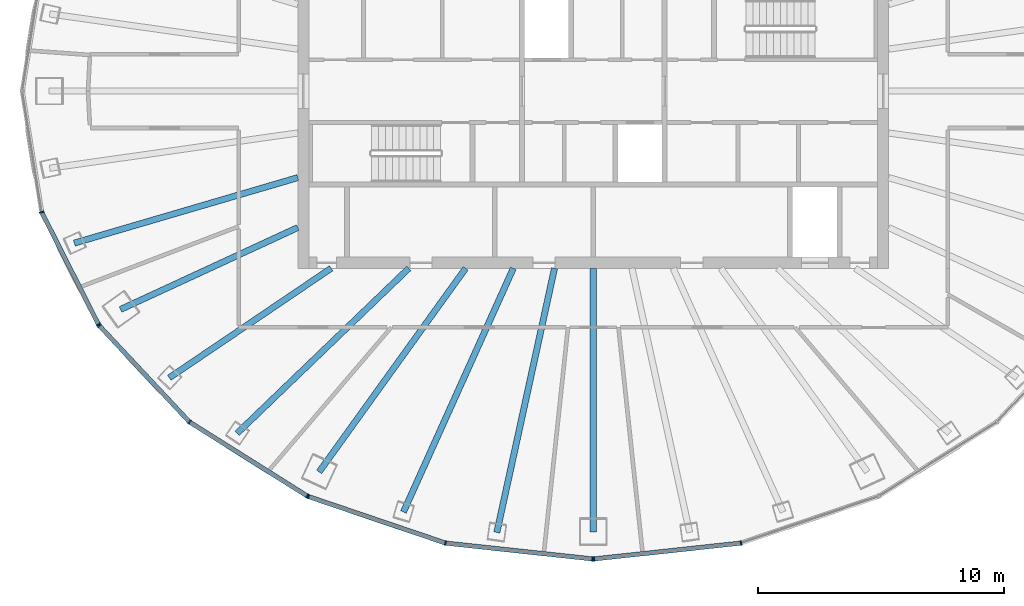
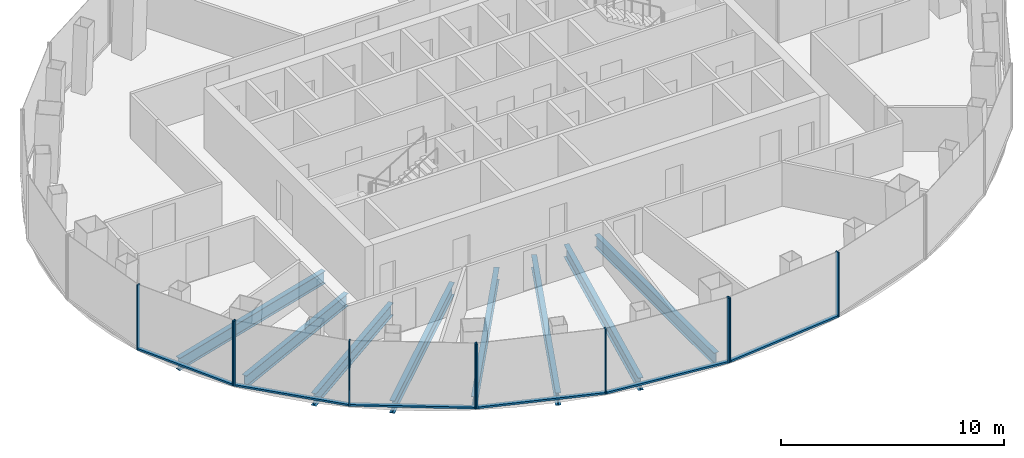
# One storey, part 2 of 11: 16 members, 8 beams, 4 elements without a shape of their own.
"""IFC4 building model written with IfcOpenShell, lengths in metres."""

from ifc_helpers import new_model, si_unit, direction, frame, origin, origin_2d, place, context, subcontext, project, spatial, rectangle, i_section, extrude, material, layer, layer_set, material_profile, profile_set, type_object, element, aggregate, save


model = new_model("IFC4")

# Units and contexts
model_context = context("Model", 3, precision=1e-05, world=origin(), true_north=direction((0.0, 1.0)))
body_context = subcontext(model_context, "Body", "Model", "MODEL_VIEW")
ifc_project = project(units=[si_unit("LENGTHUNIT", "METRE"), si_unit("AREAUNIT", "SQUARE_METRE"), si_unit("VOLUMEUNIT", "CUBIC_METRE"), si_unit("PLANEANGLEUNIT", "RADIAN"), si_unit("MASSUNIT", "GRAM", prefix="KILO")], contexts=[model_context])

# Site, building, storey
site_placement = place(None, origin())
site = spatial("IfcSite", under=ifc_project, at=site_placement, CompositionType="ELEMENT")
building_placement = place(site_placement, origin())
building = spatial("IfcBuilding", under=site, at=building_placement, Name="Siaravel Broadcast Tower", CompositionType="ELEMENT")
storey_placement = place(building_placement, frame((0.0, 0.0, 183.0)))
storey = spatial("IfcBuildingStorey", under=building, at=storey_placement, Name="L44", CompositionType="ELEMENT", Elevation=183.0)

# Beams
ifc_material_1 = material(Name="Steel S355", Category="steel")
ifc_material_profile_1 = material_profile(ifc_material_1, i_section(OverallWidth=0.2529296875, OverallDepth=0.677978515625, WebThickness=0.01171875, FlangeThickness=0.01611328125, FilletRadius=0.01513671875, at=origin_2d()))
ifc_profile_set_1 = profile_set([ifc_material_profile_1], Name="Steel S355")
beam_type = type_object("IfcBeamType", Name="BM-UB 686x254x125", PredefinedType="BEAM", material=ifc_profile_set_1)
beam_1_placement = place(storey_placement, frame((-21.077880859375, -6.177001953125, -0.489013671875), z_axis=(0.959638752, 0.281235605, 0.0), x_axis=(-0.281235605, 0.959638752, 0.0)))
element("IfcBeam", 1, at=beam_1_placement, inside=storey, type_object=beam_type, Name="Radial beam RB21", PredefinedType="BEAM", context=body_context, shape_type="SweptSolid", body=[
    extrude(i_section(OverallWidth=0.2529296875, OverallDepth=0.677978515625, WebThickness=0.01171875, FlangeThickness=0.01611328125, FilletRadius=0.01513671875, at=origin_2d()), origin(), (0.0, 0.0, 1.0), 9.459716796875),
])
beam_2_placement = place(storey_placement, frame((-19.2001953125, -8.87158203125, -0.489013671875), z_axis=(0.907780023, 0.419446575, 0.0), x_axis=(-0.419446575, 0.907780023, 0.0)))
element("IfcBeam", 2, at=beam_2_placement, inside=storey, type_object=beam_type, Name="Radial beam RB22", PredefinedType="BEAM", context=body_context, shape_type="SweptSolid", body=[
    extrude(i_section(OverallWidth=0.2529296875, OverallDepth=0.677978515625, WebThickness=0.01171875, FlangeThickness=0.01611328125, FilletRadius=0.01513671875, at=origin_2d()), origin(), (0.0, 0.0, 1.0), 7.931640625),
])
beam_3_placement = place(storey_placement, frame((-17.219970703125, -11.647216796875, -0.489013671875), z_axis=(0.82831238, 0.560266545, 0.0), x_axis=(-0.560266545, 0.82831238, 0.0)))
element("IfcBeam", 3, at=beam_3_placement, inside=storey, type_object=beam_type, Name="Radial beam RB23", PredefinedType="BEAM", context=body_context, shape_type="SweptSolid", body=[
    extrude(i_section(OverallWidth=0.2529296875, OverallDepth=0.677978515625, WebThickness=0.01171875, FlangeThickness=0.01611328125, FilletRadius=0.01513671875, at=origin_2d()), origin(), (0.0, 0.0, 1.0), 7.937744140625),
])
beam_4_placement = place(storey_placement, frame((-14.465087890625, -13.903564453125, -0.489013671875), z_axis=(0.720962538, 0.692974039, 0.0), x_axis=(-0.692974039, 0.720962538, 0.0)))
element("IfcBeam", 4, at=beam_4_placement, inside=storey, type_object=beam_type, Name="Radial beam RB24", PredefinedType="BEAM", context=body_context, shape_type="SweptSolid", body=[
    extrude(i_section(OverallWidth=0.2529296875, OverallDepth=0.677978515625, WebThickness=0.01171875, FlangeThickness=0.01611328125, FilletRadius=0.01513671875, at=origin_2d()), origin(), (0.0, 0.0, 1.0), 9.673583984375),
])
beam_5_placement = place(storey_placement, frame((-11.134033203125, -15.468994140625, -0.489013671875), z_axis=(0.584172151, 0.811629779, 0.0), x_axis=(-0.811629779, 0.584172151, 0.0)))
element("IfcBeam", 5, at=beam_5_placement, inside=storey, type_object=beam_type, Name="Radial beam RB25", PredefinedType="BEAM", context=body_context, shape_type="SweptSolid", body=[
    extrude(i_section(OverallWidth=0.2529296875, OverallDepth=0.677978515625, WebThickness=0.01171875, FlangeThickness=0.01611328125, FilletRadius=0.01513671875, at=origin_2d()), origin(), (0.0, 0.0, 1.0), 10.188232421875),
])
beam_6_placement = place(storey_placement, frame((-7.709228515625, -17.097412109375, -0.489013671875), z_axis=(0.41103777, 0.911618315, 0.0), x_axis=(-0.911618315, 0.41103777, 0.0)))
element("IfcBeam", 6, at=beam_6_placement, inside=storey, type_object=beam_type, Name="Radial beam RB26", PredefinedType="BEAM", context=body_context, shape_type="SweptSolid", body=[
    extrude(i_section(OverallWidth=0.2529296875, OverallDepth=0.677978515625, WebThickness=0.01171875, FlangeThickness=0.01611328125, FilletRadius=0.01513671875, at=origin_2d()), origin(), (0.0, 0.0, 1.0), 10.85693359375),
])
beam_7_placement = place(storey_placement, frame((-3.915771484375, -17.9296875, -0.489013671875), z_axis=(0.213360748, 0.976973485, 0.0), x_axis=(-0.976973485, 0.213360748, 0.0)))
element("IfcBeam", 7, at=beam_7_placement, inside=storey, type_object=beam_type, Name="Radial beam RB27", PredefinedType="BEAM", context=body_context, shape_type="SweptSolid", body=[
    extrude(i_section(OverallWidth=0.2529296875, OverallDepth=0.677978515625, WebThickness=0.01171875, FlangeThickness=0.01611328125, FilletRadius=0.01513671875, at=origin_2d()), origin(), (0.0, 0.0, 1.0), 10.982666015625),
])
beam_8_placement = place(storey_placement, frame((0.0, -17.910400390625, -0.489013671875), z_axis=(0.0, 1.0, 0.0), x_axis=(-1.0, 0.0, 0.0)))
element("IfcBeam", 8, at=beam_8_placement, inside=storey, type_object=beam_type, Name="Radial beam RB28", PredefinedType="BEAM", context=body_context, shape_type="SweptSolid", body=[
    extrude(i_section(OverallWidth=0.2529296875, OverallDepth=0.677978515625, WebThickness=0.01171875, FlangeThickness=0.01611328125, FilletRadius=0.01513671875, at=origin_2d()), origin(), (0.0, 0.0, 1.0), 10.71044921875),
])

# Curtain wall, members
ifc_material_2 = material(Name="Aluminium 6063-T6", Category="aluminium")
ifc_layer = layer(ifc_material_2, 0.179931640625)
ifc_layer_set = layer_set([ifc_layer], Name="Aluminium 6063-T6")
curtain_wall_type = type_object("IfcCurtainWallType", Name="Unitised curtain wall, zone 3", PredefinedType="NOTDEFINED", material=ifc_layer_set)
curtain_wall_1_placement = place(storey_placement, origin())
curtain_wall_1 = element("IfcCurtainWall", 9, at=curtain_wall_1_placement, inside=storey, type_object=curtain_wall_type, Name="L44 Unitised curtain wall, zone 3 07", PredefinedType="NOTDEFINED")
ifc_material_profile_2 = material_profile(ifc_material_2, rectangle(XDim=0.179931640625, YDim=0.06005859375, at=origin_2d()))
ifc_profile_set_2 = profile_set([ifc_material_profile_2], Name="Aluminium 6063-T6")
member_type_1 = type_object("IfcMemberType", Name="CW-Z3 mullion", PredefinedType="MULLION", material=ifc_profile_set_2)
member_1_placement = place(storey_placement, frame((-22.4033203125, -4.922119140625, 0.0), z_axis=(0.0, 0.0, 1.0), x_axis=(0.95117718, 0.308645383, 0.0)))
member_1 = element("IfcMember", 10, at=member_1_placement, type_object=member_type_1, Name="CW-Z3 mullion 2", PredefinedType="MULLION", context=body_context, shape_type="SweptSolid", body=[
    extrude(rectangle(XDim=0.179931640625, YDim=0.06005859375, at=origin_2d()), origin(), (0.0, 0.0, 1.0), 3.550048828125),
])
member_2_placement = place(storey_placement, frame((-20.09814453125, -9.48095703125, 0.0), z_axis=(0.0, 0.0, 1.0), x_axis=(0.892392002, 0.451261028, 0.0)))
member_2 = element("IfcMember", 11, at=member_2_placement, type_object=member_type_1, Name="CW-Z3 mullion 3", PredefinedType="MULLION", context=body_context, shape_type="SweptSolid", body=[
    extrude(rectangle(XDim=0.179931640625, YDim=0.06005859375, at=origin_2d()), origin(), (0.0, 0.0, 1.0), 3.550048828125),
])

curtain_wall_2_placement = place(storey_placement, origin())
curtain_wall_2 = element("IfcCurtainWall", 12, at=curtain_wall_2_placement, inside=storey, type_object=curtain_wall_type, Name="L44 Unitised curtain wall, zone 3 08", PredefinedType="NOTDEFINED")
member_3_placement = place(storey_placement, frame((-20.064208984375, -9.52978515625, 0.0), z_axis=(0.0, 0.0, 1.0), x_axis=(0.729805016, 0.683655351, 0.0)))
member_3 = element("IfcMember", 13, at=member_3_placement, type_object=member_type_1, Name="CW-Z3 mullion 1", PredefinedType="MULLION", context=body_context, shape_type="SweptSolid", body=[
    extrude(rectangle(XDim=0.179931640625, YDim=0.06005859375, at=origin_2d()), origin(), (0.0, 0.0, 1.0), 3.550048828125),
])
member_4_placement = place(storey_placement, frame((-16.397216796875, -13.44384765625, 0.0), z_axis=(0.0, 0.0, 1.0), x_axis=(0.636218366, 0.771509035, 0.0)))
member_4 = element("IfcMember", 14, at=member_4_placement, type_object=member_type_1, Name="CW-Z3 mullion 2", PredefinedType="MULLION", context=body_context, shape_type="SweptSolid", body=[
    extrude(rectangle(XDim=0.179931640625, YDim=0.06005859375, at=origin_2d()), origin(), (0.0, 0.0, 1.0), 3.550048828125),
])
member_5_placement = place(storey_placement, frame((-11.618896484375, -16.447265625, 0.0), z_axis=(0.0, 0.0, 1.0), x_axis=(0.532148919, 0.846650771, 0.0)))
member_5 = element("IfcMember", 15, at=member_5_placement, type_object=member_type_1, Name="CW-Z3 mullion 3", PredefinedType="MULLION", context=body_context, shape_type="SweptSolid", body=[
    extrude(rectangle(XDim=0.179931640625, YDim=0.06005859375, at=origin_2d()), origin(), (0.0, 0.0, 1.0), 3.550048828125),
])

curtain_wall_3_placement = place(storey_placement, origin())
curtain_wall_3 = element("IfcCurtainWall", 16, at=curtain_wall_3_placement, inside=storey, type_object=curtain_wall_type, Name="L44 Unitised curtain wall, zone 3 09", PredefinedType="NOTDEFINED")
member_6_placement = place(storey_placement, frame((-11.565185546875, -16.472900390625, 0.0), z_axis=(0.0, 0.0, 1.0), x_axis=(0.321300369, 0.946977335, 0.0)))
member_6 = element("IfcMember", 17, at=member_6_placement, type_object=member_type_1, Name="CW-Z3 mullion 1", PredefinedType="MULLION", context=body_context, shape_type="SweptSolid", body=[
    extrude(rectangle(XDim=0.179931640625, YDim=0.06005859375, at=origin_2d()), origin(), (0.0, 0.0, 1.0), 3.550048828125),
])
member_7_placement = place(storey_placement, frame((-6.0009765625, -18.36083984375, 0.0), z_axis=(0.0, 0.0, 1.0), x_axis=(0.215557889, 0.976491063, 0.0)))
member_7 = element("IfcMember", 18, at=member_7_placement, type_object=member_type_1, Name="CW-Z3 mullion 2", PredefinedType="MULLION", context=body_context, shape_type="SweptSolid", body=[
    extrude(rectangle(XDim=0.179931640625, YDim=0.06005859375, at=origin_2d()), origin(), (0.0, 0.0, 1.0), 3.550048828125),
])
member_8_placement = place(storey_placement, frame((-0.02978515625, -19.004638671875, 0.0), z_axis=(0.0, 0.0, 1.0), x_axis=(0.107217391, 0.994235601, 0.0)))
member_8 = element("IfcMember", 19, at=member_8_placement, type_object=member_type_1, Name="CW-Z3 mullion 3", PredefinedType="MULLION", context=body_context, shape_type="SweptSolid", body=[
    extrude(rectangle(XDim=0.179931640625, YDim=0.06005859375, at=origin_2d()), origin(), (0.0, 0.0, 1.0), 3.550048828125),
])

curtain_wall_4_placement = place(storey_placement, origin())
curtain_wall_4 = element("IfcCurtainWall", 20, at=curtain_wall_4_placement, inside=storey, type_object=curtain_wall_type, Name="L44 Unitised curtain wall, zone 3 10", PredefinedType="NOTDEFINED")
member_9_placement = place(storey_placement, frame((0.02978515625, -19.004638671875, 0.0), z_axis=(0.0, 0.0, 1.0), x_axis=(-0.107217391, 0.994235601, 0.0)))
member_9 = element("IfcMember", 21, at=member_9_placement, type_object=member_type_1, Name="CW-Z3 mullion 1", PredefinedType="MULLION", context=body_context, shape_type="SweptSolid", body=[
    extrude(rectangle(XDim=0.179931640625, YDim=0.06005859375, at=origin_2d()), origin(), (0.0, 0.0, 1.0), 3.550048828125),
])
member_10_placement = place(storey_placement, frame((6.0009765625, -18.36083984375, 0.0), z_axis=(0.0, 0.0, 1.0), x_axis=(-0.215557889, 0.976491063, 0.0)))
member_10 = element("IfcMember", 22, at=member_10_placement, type_object=member_type_1, Name="CW-Z3 mullion 2", PredefinedType="MULLION", context=body_context, shape_type="SweptSolid", body=[
    extrude(rectangle(XDim=0.179931640625, YDim=0.06005859375, at=origin_2d()), origin(), (0.0, 0.0, 1.0), 3.550048828125),
])

# Member
ifc_material_profile_3 = material_profile(ifc_material_2, rectangle(XDim=0.179931640625, YDim=0.10009765625, at=origin_2d()))
ifc_profile_set_3 = profile_set([ifc_material_profile_3], Name="Aluminium 6063-T6")
member_type_2 = type_object("IfcMemberType", Name="CW-Z3 transom", PredefinedType="USERDEFINED", material=ifc_profile_set_3)
member_11_placement = place(storey_placement, frame((-22.389892578125, -4.948974609375, 0.050048828125), z_axis=(0.451251966, -0.892396584, 0.0), x_axis=(0.892396584, 0.451251966, 0.0)))
member_11 = element("IfcMember", 23, at=member_11_placement, type_object=member_type_2, Name="CW-Z3 transom 2", ObjectType="TRANSOM", PredefinedType="USERDEFINED", context=body_context, shape_type="SweptSolid", body=[
    extrude(rectangle(XDim=0.179931640625, YDim=0.10009765625, at=origin_2d()), origin(), (0.0, 0.0, 1.0), 5.04833984375),
])

aggregate(curtain_wall_1, [member_1, member_2, member_11])

member_12_placement = place(storey_placement, frame((-20.043701171875, -9.551513671875, 0.050048828125), z_axis=(0.683668525, -0.729792674, 0.0), x_axis=(0.729792674, 0.683668525, 0.0)))
member_12 = element("IfcMember", 24, at=member_12_placement, type_object=member_type_2, Name="CW-Z3 transom 1", ObjectType="TRANSOM", PredefinedType="USERDEFINED", context=body_context, shape_type="SweptSolid", body=[
    extrude(rectangle(XDim=0.179931640625, YDim=0.10009765625, at=origin_2d()), origin(), (0.0, 0.0, 1.0), 5.3037109375),
])

member_13_placement = place(storey_placement, frame((-16.371826171875, -13.4599609375, 0.050048828125), z_axis=(0.846649494, -0.53215095, 0.0), x_axis=(0.53215095, 0.846649494, 0.0)))
member_13 = element("IfcMember", 25, at=member_13_placement, type_object=member_type_2, Name="CW-Z3 transom 2", ObjectType="TRANSOM", PredefinedType="USERDEFINED", context=body_context, shape_type="SweptSolid", body=[
    extrude(rectangle(XDim=0.179931640625, YDim=0.10009765625, at=origin_2d()), origin(), (0.0, 0.0, 1.0), 5.583740234375),
])

aggregate(curtain_wall_2, [member_3, member_4, member_5, member_12, member_13])

member_14_placement = place(storey_placement, frame((-11.536865234375, -16.482421875, 0.050048828125), z_axis=(0.946978016, -0.321298361, 0.0), x_axis=(0.321298361, 0.946978016, 0.0)))
member_14 = element("IfcMember", 26, at=member_14_placement, type_object=member_type_2, Name="CW-Z3 transom 1", ObjectType="TRANSOM", PredefinedType="USERDEFINED", context=body_context, shape_type="SweptSolid", body=[
    extrude(rectangle(XDim=0.179931640625, YDim=0.10009765625, at=origin_2d()), origin(), (0.0, 0.0, 1.0), 5.81591796875),
])

member_15_placement = place(storey_placement, frame((-5.97119140625, -18.364013671875, 0.050048828125), z_axis=(0.994236066, -0.107213083, 0.0), x_axis=(0.107213083, 0.994236066, 0.0)))
member_15 = element("IfcMember", 27, at=member_15_placement, type_object=member_type_2, Name="CW-Z3 transom 2", ObjectType="TRANSOM", PredefinedType="USERDEFINED", context=body_context, shape_type="SweptSolid", body=[
    extrude(rectangle(XDim=0.179931640625, YDim=0.10009765625, at=origin_2d()), origin(), (0.0, 0.0, 1.0), 5.945556640625),
])

aggregate(curtain_wall_3, [member_6, member_7, member_8, member_14, member_15])

member_16_placement = place(storey_placement, frame((0.059814453125, -19.00146484375, 0.050048828125), z_axis=(0.994236066, 0.107213083, 0.0), x_axis=(-0.107213083, 0.994236066, 0.0)))
member_16 = element("IfcMember", 28, at=member_16_placement, type_object=member_type_2, Name="CW-Z3 transom 1", ObjectType="TRANSOM", PredefinedType="USERDEFINED", context=body_context, shape_type="SweptSolid", body=[
    extrude(rectangle(XDim=0.179931640625, YDim=0.10009765625, at=origin_2d()), origin(), (0.0, 0.0, 1.0), 5.945556640625),
])

aggregate(curtain_wall_4, [member_9, member_10, member_16])

save(model, "model.ifc")
